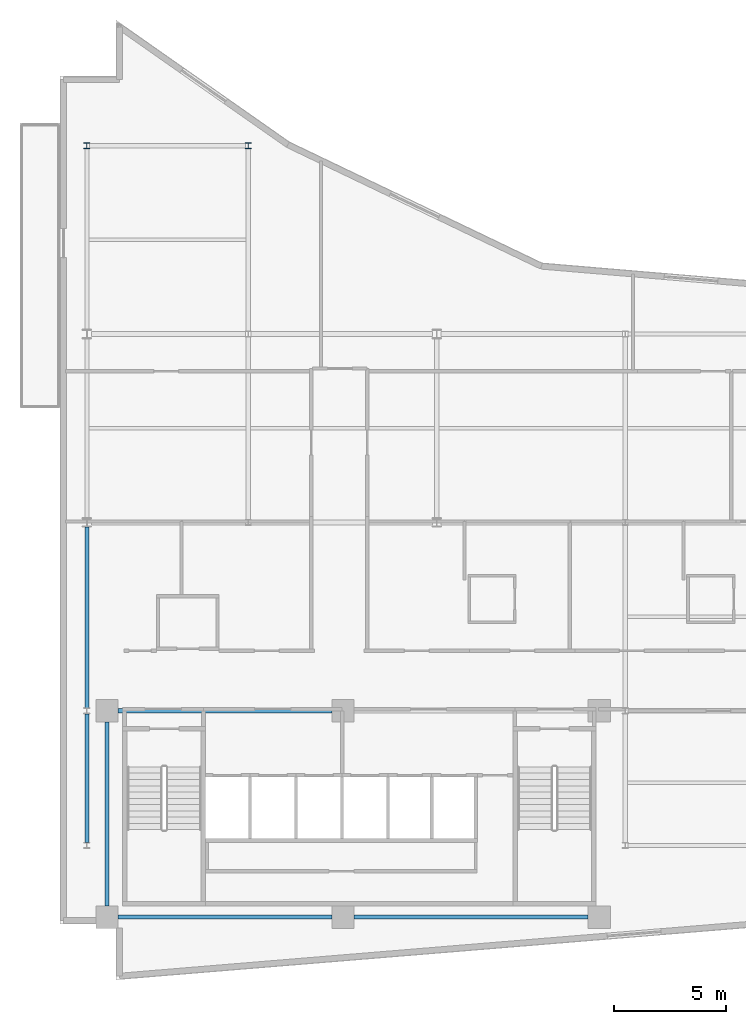
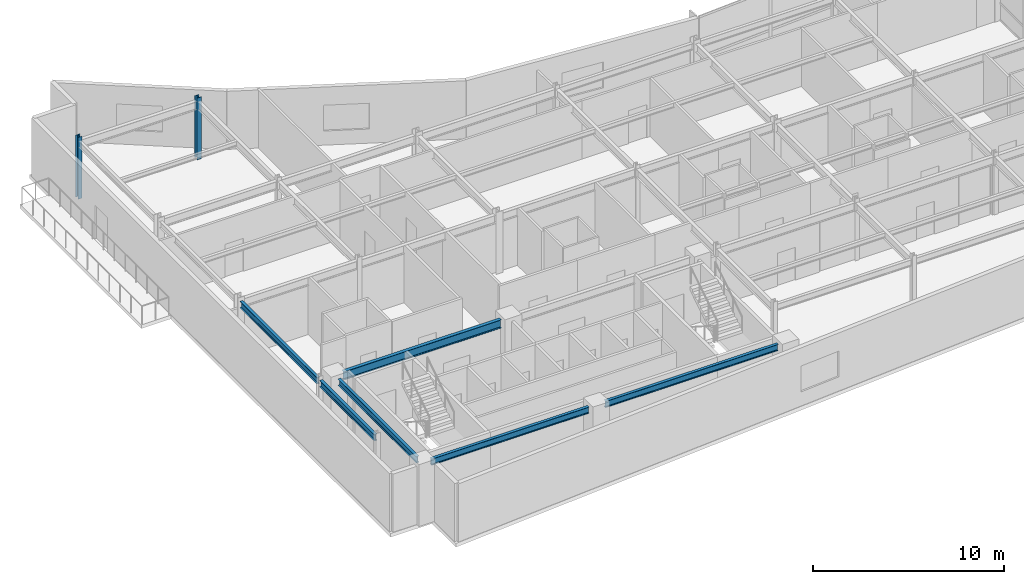
# One storey, part 3 of 17: 6 beams, 2 columns.
"""IFC4 building model written with IfcOpenShell, lengths in metres."""

from ifc_helpers import new_model, si_unit, direction, frame, origin, origin_2d, place, context, subcontext, project, spatial, i_section, extrude, material, material_profile, profile_set, type_object, element, save


model = new_model("IFC4")

# Units and contexts
model_context = context("Model", 3, precision=1e-05, world=origin(), true_north=direction((0.0, 1.0)))
body_context = subcontext(model_context, "Body", "Model", "MODEL_VIEW")
ifc_project = project(units=[si_unit("LENGTHUNIT", "METRE"), si_unit("AREAUNIT", "SQUARE_METRE"), si_unit("VOLUMEUNIT", "CUBIC_METRE"), si_unit("PLANEANGLEUNIT", "RADIAN"), si_unit("MASSUNIT", "GRAM", prefix="KILO")], contexts=[model_context])

# Site, building, storey
site_placement = place(None, origin())
site = spatial("IfcSite", under=ifc_project, at=site_placement, CompositionType="ELEMENT")
building_placement = place(site_placement, origin())
building = spatial("IfcBuilding", under=site, at=building_placement, Name="Varnakote Quay Hospital", CompositionType="ELEMENT")
storey_placement = place(building_placement, frame((0.0, 0.0, 203.949951171875)))
storey = spatial("IfcBuildingStorey", under=building, at=storey_placement, Name="L50", CompositionType="ELEMENT", Elevation=203.949951171875)

# Columns
ifc_material_1 = material(Name="Structural steel AS/NZS 3679.1 Grade 350 L0 (fy 340 MPa)", Category="steel")
ifc_material_profile_1 = material_profile(ifc_material_1, i_section(OverallWidth=0.256103515625, OverallDepth=0.260009765625, WebThickness=0.010498046875, FlangeThickness=0.017333984375, FilletRadius=0.0126953125, at=origin_2d()), Name="250UC89.5")
ifc_profile_set_1 = profile_set([ifc_material_profile_1], Name="Structural steel AS/NZS 3679.1 Grade 350 L0 (fy 340 MPa)")
column_type = type_object("IfcColumnType", Name="COL-STL-250UC89-5", PredefinedType="COLUMN", material=ifc_profile_set_1)
for number, where, z_axis, x_axis, name in (
    (1, (1.199951171875, 37.199951171875, 0.0), (0.0, 0.0, 1.0), (1.0, 0.0, 0.0), "L50 Structural Column C-1-37"),
    (2, (8.39990234375, 37.199951171875, 0.0), (0.0, 0.0, 1.0), (1.0, 0.0, 0.0), "L50 Structural Column C-8-37"),
):
    element("IfcColumn", number, at=place(storey_placement, frame(where, z_axis=z_axis, x_axis=x_axis)), inside=storey, type_object=column_type, Name=name, PredefinedType="COLUMN", context=body_context, shape_type="SweptSolid", body=[
        extrude(i_section(OverallWidth=0.256103515625, OverallDepth=0.260009765625, WebThickness=0.010498046875, FlangeThickness=0.017333984375, FilletRadius=0.0126953125, at=origin_2d()), origin(), (0.0, 0.0, 1.0), 3.949951171875),
    ])

# Beams
ifc_material_2 = material(Name="Structural steel AS/NZS 3679.1 Grade 350 L0 (fy 340 MPa)", Category="steel")
ifc_material_profile_2 = material_profile(ifc_material_2, i_section(OverallWidth=0.208984375, OverallDepth=0.532958984375, WebThickness=0.01025390625, FlangeThickness=0.015625, FilletRadius=0.013916015625, at=origin_2d()), Name="530UB92.4")
ifc_profile_set_2 = profile_set([ifc_material_profile_2], Name="Structural steel AS/NZS 3679.1 Grade 350 L0 (fy 340 MPa)")
beam_type_1 = type_object("IfcBeamType", Name="BM-STL-530UB92-4", PredefinedType="BEAM", material=ifc_profile_set_2)
beam_1_placement = place(storey_placement, frame((2.60009765625, 12.0, 3.443603515625), z_axis=(1.0, 0.0, 0.0), x_axis=(0.0, 1.0, 0.0)))
element("IfcBeam", 3, at=beam_1_placement, inside=storey, type_object=beam_type_1, Name="L50 Primary Floor Beam", PredefinedType="BEAM", context=body_context, shape_type="SweptSolid", body=[
    extrude(i_section(OverallWidth=0.208984375, OverallDepth=0.532958984375, WebThickness=0.01025390625, FlangeThickness=0.015625, FilletRadius=0.013916015625, at=origin_2d()), origin(), (0.0, 0.0, 1.0), 9.52001953125),
])
ifc_material_3 = material(Name="Structural steel AS/NZS 3679.1 Grade 350 L0 (fy 340 MPa)", Category="steel")
ifc_material_profile_3 = material_profile(ifc_material_3, i_section(OverallWidth=0.177978515625, OverallDepth=0.403076171875, WebThickness=0.007568359375, FlangeThickness=0.010986328125, FilletRadius=0.011474609375, at=origin_2d()), Name="410UB53.7")
ifc_profile_set_3 = profile_set([ifc_material_profile_3], Name="Structural steel AS/NZS 3679.1 Grade 350 L0 (fy 340 MPa)")
beam_type_2 = type_object("IfcBeamType", Name="SPN-STL-410UB53-7", PredefinedType="SPANDREL", material=ifc_profile_set_3)
beam_2_placement = place(storey_placement, frame((1.199951171875, 6.1298828125, 3.508544921875), z_axis=(0.0, 1.0, 0.0), x_axis=(-1.0, 0.0, 0.0)))
element("IfcBeam", 4, at=beam_2_placement, inside=storey, type_object=beam_type_2, Name="L50 Perimeter Spandrel Beam", PredefinedType="SPANDREL", context=body_context, shape_type="SweptSolid", body=[
    extrude(i_section(OverallWidth=0.177978515625, OverallDepth=0.403076171875, WebThickness=0.007568359375, FlangeThickness=0.010986328125, FilletRadius=0.011474609375, at=origin_2d()), origin(), (0.0, 0.0, 1.0), 5.740234375),
])
beam_3_placement = place(storey_placement, frame((1.199951171875, 12.1298828125, 3.508544921875), z_axis=(0.0, 1.0, 0.0), x_axis=(-1.0, 0.0, 0.0)))
element("IfcBeam", 5, at=beam_3_placement, inside=storey, type_object=beam_type_2, Name="L50 Perimeter Spandrel Beam", PredefinedType="SPANDREL", context=body_context, shape_type="SweptSolid", body=[
    extrude(i_section(OverallWidth=0.177978515625, OverallDepth=0.403076171875, WebThickness=0.007568359375, FlangeThickness=0.010986328125, FilletRadius=0.011474609375, at=origin_2d()), origin(), (0.0, 0.0, 1.0), 8.068115234375),
])
beam_4_placement = place(storey_placement, frame((2.10009765625, 3.300048828125, 3.508544921875), z_axis=(0.0, 1.0, 0.0), x_axis=(-1.0, 0.0, 0.0)))
element("IfcBeam", 6, at=beam_4_placement, inside=storey, type_object=beam_type_2, Name="L50 Perimeter Spandrel Beam", PredefinedType="SPANDREL", context=body_context, shape_type="SweptSolid", body=[
    extrude(i_section(OverallWidth=0.177978515625, OverallDepth=0.403076171875, WebThickness=0.007568359375, FlangeThickness=0.010986328125, FilletRadius=0.011474609375, at=origin_2d()), origin(), (0.0, 0.0, 1.0), 8.199951171875),
])
ifc_material_4 = material(Name="Structural steel AS/NZS 3679.1 Grade 350 L0 (fy 340 MPa)", Category="steel")
ifc_material_profile_4 = material_profile(ifc_material_4, i_section(OverallWidth=0.177978515625, OverallDepth=0.406005859375, WebThickness=0.0078125, FlangeThickness=0.0126953125, FilletRadius=0.011474609375, at=origin_2d()), Name="410UB59.7")
ifc_profile_set_4 = profile_set([ifc_material_profile_4], Name="Structural steel AS/NZS 3679.1 Grade 350 L0 (fy 340 MPa)")
beam_type_3 = type_object("IfcBeamType", Name="SPN-STL-410UB59-7", PredefinedType="SPANDREL", material=ifc_profile_set_4)
beam_5_placement = place(storey_placement, frame((2.60009765625, 2.800048828125, 3.507080078125), z_axis=(1.0, 0.0, 0.0), x_axis=(0.0, 1.0, 0.0)))
element("IfcBeam", 7, at=beam_5_placement, inside=storey, type_object=beam_type_3, Name="L50 Perimeter Spandrel Beam", PredefinedType="SPANDREL", context=body_context, shape_type="SweptSolid", body=[
    extrude(i_section(OverallWidth=0.177978515625, OverallDepth=0.406005859375, WebThickness=0.0078125, FlangeThickness=0.0126953125, FilletRadius=0.011474609375, at=origin_2d()), origin(), (0.0, 0.0, 1.0), 9.52001953125),
])
beam_6_placement = place(storey_placement, frame((13.1201171875, 2.800048828125, 3.507080078125), z_axis=(1.0, 0.0, 0.0), x_axis=(0.0, 1.0, 0.0)))
element("IfcBeam", 8, at=beam_6_placement, inside=storey, type_object=beam_type_3, Name="L50 Perimeter Spandrel Beam", PredefinedType="SPANDREL", context=body_context, shape_type="SweptSolid", body=[
    extrude(i_section(OverallWidth=0.177978515625, OverallDepth=0.406005859375, WebThickness=0.0078125, FlangeThickness=0.0126953125, FilletRadius=0.011474609375, at=origin_2d()), origin(), (0.0, 0.0, 1.0), 10.429931640625),
])

save(model, "model.ifc")
